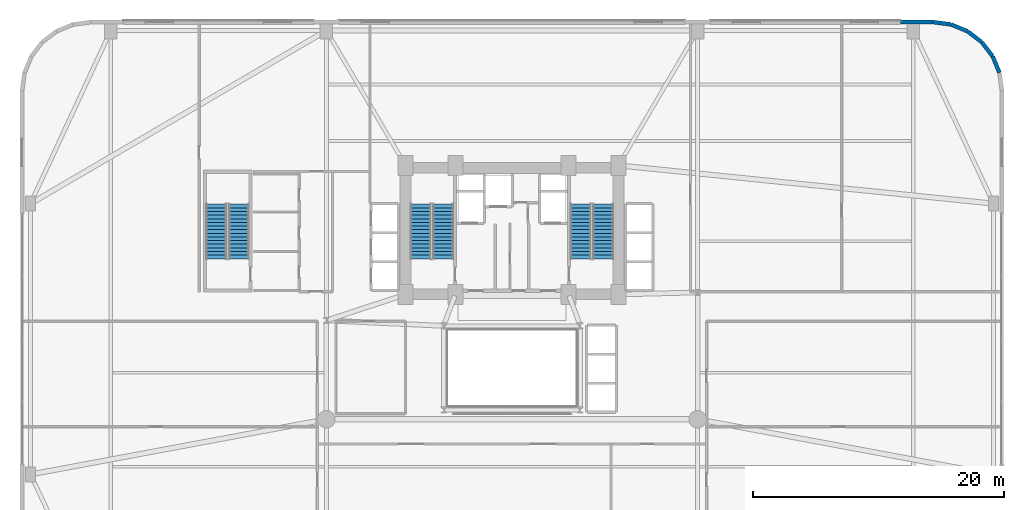
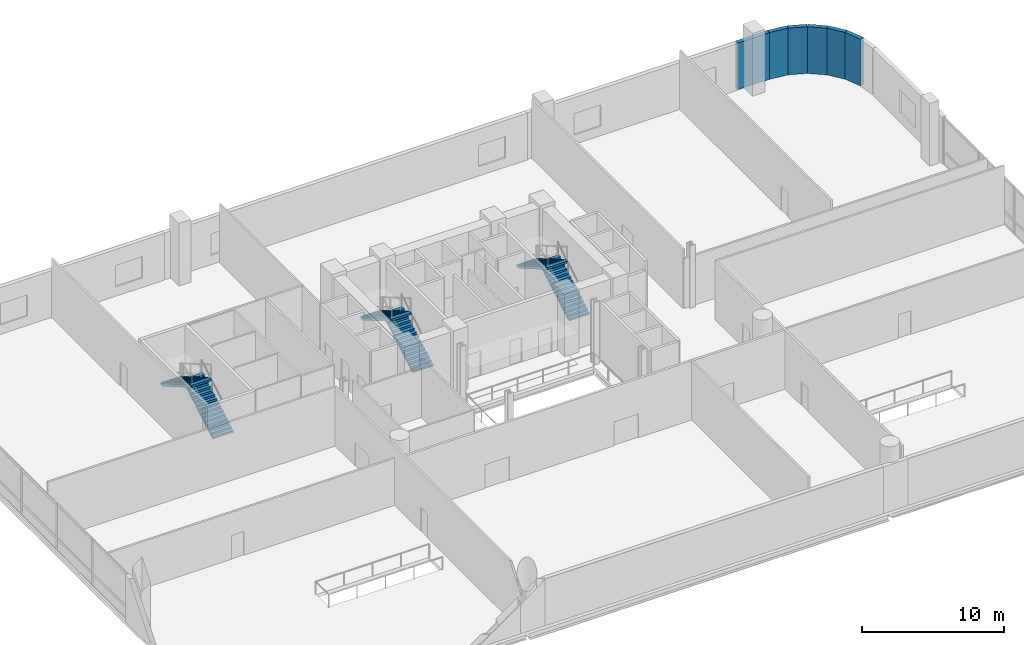
# One storey, part 25 of 31: 6 stair flights, 6 walls, 3 elements without a shape of their own.
"""IFC4 building model written with IfcOpenShell, lengths in metres."""

from ifc_helpers import new_model, si_unit, direction, frame, frame_2d, origin, place, context, subcontext, project, spatial, polyline, rectangle, outline, extrude, material, layer, layer_set, type_object, element, aggregate, save


model = new_model("IFC4")

# Units and contexts
model_context = context("Model", 3, precision=1e-05, world=origin(), true_north=direction((0.0, 1.0)))
body_context = subcontext(model_context, "Body", "Model", "MODEL_VIEW")
ifc_project = project(units=[si_unit("LENGTHUNIT", "METRE"), si_unit("AREAUNIT", "SQUARE_METRE"), si_unit("VOLUMEUNIT", "CUBIC_METRE"), si_unit("PLANEANGLEUNIT", "RADIAN"), si_unit("MASSUNIT", "GRAM", prefix="KILO")], contexts=[model_context])

# Site, building, storey
site_placement = place(None, origin())
site = spatial("IfcSite", under=ifc_project, at=site_placement, CompositionType="ELEMENT")
building_placement = place(site_placement, origin())
building = spatial("IfcBuilding", under=site, at=building_placement, Name="Varnelok Gate Tower", CompositionType="ELEMENT")
storey_placement = place(building_placement, frame((0.0, 0.0, 16.199951171875)))
storey = spatial("IfcBuildingStorey", under=building, at=storey_placement, Name="L03", CompositionType="ELEMENT", Elevation=16.199951171875)

# Walls
ifc_material_1 = material(Name="Concrete C45/55", Category="concrete")
ifc_layer = layer(ifc_material_1, 0.320068359375)
ifc_layer_set = layer_set([ifc_layer], Name="Concrete C45/55")
wall_type = type_object("IfcWallType", Name="EW-POD-320", PredefinedType="SOLIDWALL", material=ifc_layer_set)
for number, where, z_axis, x_axis, name in (
    (1, (78.082763671875, 46.441162109375, 0.0), (0.0, 0.0, 1.0), (-0.382714908977, 0.923866493844, 0.0), "L03 Perimeter Facade Closure Wall 20"),
    (2, (77.52978515625, 47.75927734375, 0.0), (0.0, 0.0, 1.0), (-0.60871962085, 0.79338541907, 0.0), "L03 Perimeter Facade Closure Wall 21"),
    (3, (76.654296875, 48.889404296875, 0.0), (0.0, 0.0, 1.0), (-0.793321035123, 0.608803527611, 0.0), "L03 Perimeter Facade Closure Wall 22"),
    (4, (75.516357421875, 49.75439453125, 0.0), (0.0, 0.0, 1.0), (-0.923866493844, 0.382714908977, 0.0), "L03 Perimeter Facade Closure Wall 23"),
):
    element("IfcWall", number, at=place(storey_placement, frame(where, z_axis=z_axis, x_axis=x_axis)), inside=storey, type_object=wall_type, Name=name, PredefinedType="SOLIDWALL", context=body_context, shape_type="SweptSolid", body=[
        extrude(rectangle(XDim=1.4052734375, YDim=0.320068359375, at=frame_2d((0.70263671875, 0.0))), origin(), (0.0, 0.0, 1.0), 4.030029296875),
    ])
wall_1_placement = place(storey_placement, frame((74.193359375, 50.295654296875, 0.0), z_axis=(0.0, 0.0, 1.0), x_axis=(-0.991460173646, 0.130409831203, 0.0)))
element("IfcWall", 5, at=wall_1_placement, inside=storey, type_object=wall_type, Name="L03 Perimeter Facade Closure Wall 24", PredefinedType="SOLIDWALL", context=body_context, shape_type="SweptSolid", body=[
    extrude(rectangle(XDim=1.413330078125, YDim=0.320068359375, at=frame_2d((0.70654296875, 0.0))), origin(), (0.0, 0.0, 1.0), 4.030029296875),
])
wall_2_placement = place(storey_placement, frame((72.76708984375, 50.47998046875, 0.0), z_axis=(0.0, 0.0, 1.0), x_axis=(-1.0, 0.0, 0.0)))
element("IfcWall", 6, at=wall_2_placement, inside=storey, type_object=wall_type, Name="L03 Perimeter Facade Closure Wall 25", PredefinedType="SOLIDWALL", context=body_context, shape_type="SweptSolid", body=[
    extrude(rectangle(XDim=2.59716796875, YDim=0.320068359375, at=frame_2d((1.298583984375, 0.0))), origin(), (0.0, 0.0, 1.0), 4.030029296875),
])

# Stair, stair flights
ifc_material_2 = material(Name="Concrete C50/60", Category="concrete")
stair_type = type_object("IfcStairType", Name="STR-CORE-1650", PredefinedType="HALF_TURN_STAIR", material=ifc_material_2)
stair_1_placement = place(storey_placement, origin())
stair_1 = element("IfcStair", 7, at=stair_1_placement, inside=storey, type_object=stair_type, Name="L03 Exit Stair ST-1", PredefinedType="HALF_TURN_STAIR")
stair_flight_type = type_object("IfcStairFlightType", Name="SFL-CORE-1650", PredefinedType="STRAIGHT", material=ifc_material_2)
stair_flight_1_placement = place(storey_placement, frame((33.72509765625, 31.60009765625, 0.0), z_axis=(0.0, 0.0, 1.0), x_axis=(0.0, 1.0, 0.0)))
stair_flight_1 = element("IfcStairFlight", 8, at=stair_flight_1_placement, type_object=stair_flight_type, Name="ST-1 flight 1", NumberOfRisers=16, NumberOfTreads=15, PredefinedType="STRAIGHT", RiserHeight=0.16875, TreadLength=0.29, context=body_context, shape_type="SweptSolid", body=[
    extrude(outline(polyline([(0.0, 0.0), (0.0, 0.168701171875), (0.2900390625, 0.168701171875), (0.2900390625, 0.33740234375), (0.580078125, 0.33740234375), (0.580078125, 0.50634765625), (0.8701171875, 0.50634765625), (0.8701171875, 0.675048828125), (1.159912109375, 0.675048828125), (1.159912109375, 0.84375), (1.449951171875, 0.84375), (1.449951171875, 1.012451171875), (1.739990234375, 1.012451171875), (1.739990234375, 1.18115234375), (2.030029296875, 1.18115234375), (2.030029296875, 1.35009765625), (2.320068359375, 1.35009765625), (2.320068359375, 1.518798828125), (2.610107421875, 1.518798828125), (2.610107421875, 1.6875), (2.89990234375, 1.6875), (2.89990234375, 1.856201171875), (3.18994140625, 1.856201171875), (3.18994140625, 2.02490234375), (3.47998046875, 2.02490234375), (3.47998046875, 2.19384765625), (3.77001953125, 2.19384765625), (3.77001953125, 2.362548828125), (4.06005859375, 2.362548828125), (4.06005859375, 2.53125), (4.35009765625, 2.53125), (4.35009765625, 2.699951171875), (4.35009765625, 2.35791015625), (0.298095703125, 0.0), (0.0, 0.0)])), frame((0.0, 0.824951171875, 0.0), z_axis=(0.0, -1.0, 0.0), x_axis=(1.0, 0.0, 0.0)), (0.0, 0.0, 1.0), 1.64990234375),
])
stair_flight_2_placement = place(storey_placement, frame((31.925048828125, 35.949951171875, 2.699951171875), z_axis=(0.0, 0.0, 1.0), x_axis=(0.0, -1.0, 0.0)))
stair_flight_2 = element("IfcStairFlight", 9, at=stair_flight_2_placement, type_object=stair_flight_type, Name="ST-1 flight 2", NumberOfRisers=16, NumberOfTreads=15, PredefinedType="STRAIGHT", RiserHeight=0.16875, TreadLength=0.29, context=body_context, shape_type="SweptSolid", body=[
    extrude(outline(polyline([(0.0, 0.0), (0.0, 0.168701171875), (0.2900390625, 0.168701171875), (0.2900390625, 0.33740234375), (0.580078125, 0.33740234375), (0.580078125, 0.50634765625), (0.8701171875, 0.50634765625), (0.8701171875, 0.675048828125), (1.159912109375, 0.675048828125), (1.159912109375, 0.84375), (1.449951171875, 0.84375), (1.449951171875, 1.012451171875), (1.739990234375, 1.012451171875), (1.739990234375, 1.18115234375), (2.030029296875, 1.18115234375), (2.030029296875, 1.35009765625), (2.320068359375, 1.35009765625), (2.320068359375, 1.518798828125), (2.610107421875, 1.518798828125), (2.610107421875, 1.6875), (2.89990234375, 1.6875), (2.89990234375, 1.856201171875), (3.18994140625, 1.856201171875), (3.18994140625, 2.02490234375), (3.47998046875, 2.02490234375), (3.47998046875, 2.19384765625), (3.77001953125, 2.19384765625), (3.77001953125, 2.362548828125), (4.06005859375, 2.362548828125), (4.06005859375, 2.53125), (4.35009765625, 2.53125), (4.35009765625, 2.699951171875), (4.35009765625, 2.35791015625), (0.298095703125, 0.0), (0.0, 0.0)])), frame((0.0, 0.824951171875, 0.0), z_axis=(0.0, -1.0, 0.0), x_axis=(1.0, 0.0, 0.0)), (0.0, 0.0, 1.0), 1.64990234375),
])
aggregate(stair_1, [stair_flight_1, stair_flight_2])

stair_2_placement = place(storey_placement, origin())
stair_2 = element("IfcStair", 10, at=stair_2_placement, inside=storey, type_object=stair_type, Name="L03 Exit Stair ST-2", PredefinedType="HALF_TURN_STAIR")
stair_flight_3_placement = place(storey_placement, frame((46.47509765625, 31.60009765625, 0.0), z_axis=(0.0, 0.0, 1.0), x_axis=(0.0, 1.0, 0.0)))
stair_flight_3 = element("IfcStairFlight", 11, at=stair_flight_3_placement, type_object=stair_flight_type, Name="ST-2 flight 1", NumberOfRisers=16, NumberOfTreads=15, PredefinedType="STRAIGHT", RiserHeight=0.16875, TreadLength=0.29, context=body_context, shape_type="SweptSolid", body=[
    extrude(outline(polyline([(0.0, 0.0), (0.0, 0.168701171875), (0.2900390625, 0.168701171875), (0.2900390625, 0.33740234375), (0.580078125, 0.33740234375), (0.580078125, 0.50634765625), (0.8701171875, 0.50634765625), (0.8701171875, 0.675048828125), (1.159912109375, 0.675048828125), (1.159912109375, 0.84375), (1.449951171875, 0.84375), (1.449951171875, 1.012451171875), (1.739990234375, 1.012451171875), (1.739990234375, 1.18115234375), (2.030029296875, 1.18115234375), (2.030029296875, 1.35009765625), (2.320068359375, 1.35009765625), (2.320068359375, 1.518798828125), (2.610107421875, 1.518798828125), (2.610107421875, 1.6875), (2.89990234375, 1.6875), (2.89990234375, 1.856201171875), (3.18994140625, 1.856201171875), (3.18994140625, 2.02490234375), (3.47998046875, 2.02490234375), (3.47998046875, 2.19384765625), (3.77001953125, 2.19384765625), (3.77001953125, 2.362548828125), (4.06005859375, 2.362548828125), (4.06005859375, 2.53125), (4.35009765625, 2.53125), (4.35009765625, 2.699951171875), (4.35009765625, 2.35791015625), (0.298095703125, 0.0), (0.0, 0.0)])), frame((0.0, 0.824951171875, 0.0), z_axis=(0.0, -1.0, 0.0), x_axis=(1.0, 0.0, 0.0)), (0.0, 0.0, 1.0), 1.64990234375),
])
stair_flight_4_placement = place(storey_placement, frame((44.675048828125, 35.949951171875, 2.699951171875), z_axis=(0.0, 0.0, 1.0), x_axis=(0.0, -1.0, 0.0)))
stair_flight_4 = element("IfcStairFlight", 12, at=stair_flight_4_placement, type_object=stair_flight_type, Name="ST-2 flight 2", NumberOfRisers=16, NumberOfTreads=15, PredefinedType="STRAIGHT", RiserHeight=0.16875, TreadLength=0.29, context=body_context, shape_type="SweptSolid", body=[
    extrude(outline(polyline([(0.0, 0.0), (0.0, 0.168701171875), (0.2900390625, 0.168701171875), (0.2900390625, 0.33740234375), (0.580078125, 0.33740234375), (0.580078125, 0.50634765625), (0.8701171875, 0.50634765625), (0.8701171875, 0.675048828125), (1.159912109375, 0.675048828125), (1.159912109375, 0.84375), (1.449951171875, 0.84375), (1.449951171875, 1.012451171875), (1.739990234375, 1.012451171875), (1.739990234375, 1.18115234375), (2.030029296875, 1.18115234375), (2.030029296875, 1.35009765625), (2.320068359375, 1.35009765625), (2.320068359375, 1.518798828125), (2.610107421875, 1.518798828125), (2.610107421875, 1.6875), (2.89990234375, 1.6875), (2.89990234375, 1.856201171875), (3.18994140625, 1.856201171875), (3.18994140625, 2.02490234375), (3.47998046875, 2.02490234375), (3.47998046875, 2.19384765625), (3.77001953125, 2.19384765625), (3.77001953125, 2.362548828125), (4.06005859375, 2.362548828125), (4.06005859375, 2.53125), (4.35009765625, 2.53125), (4.35009765625, 2.699951171875), (4.35009765625, 2.35791015625), (0.298095703125, 0.0), (0.0, 0.0)])), frame((0.0, 0.824951171875, 0.0), z_axis=(0.0, -1.0, 0.0), x_axis=(1.0, 0.0, 0.0)), (0.0, 0.0, 1.0), 1.64990234375),
])
aggregate(stair_2, [stair_flight_3, stair_flight_4])

stair_3_placement = place(storey_placement, origin())
stair_3 = element("IfcStair", 13, at=stair_3_placement, inside=storey, type_object=stair_type, Name="L03 Podium Exit Stair ST-3", PredefinedType="HALF_TURN_STAIR")
stair_flight_5_placement = place(storey_placement, frame((17.425048828125, 31.60009765625, 0.0), z_axis=(0.0, 0.0, 1.0), x_axis=(0.0, 1.0, 0.0)))
stair_flight_5 = element("IfcStairFlight", 14, at=stair_flight_5_placement, type_object=stair_flight_type, Name="ST-3 flight 1", NumberOfRisers=16, NumberOfTreads=15, PredefinedType="STRAIGHT", RiserHeight=0.16875, TreadLength=0.29, context=body_context, shape_type="SweptSolid", body=[
    extrude(outline(polyline([(0.0, 0.0), (0.0, 0.168701171875), (0.2900390625, 0.168701171875), (0.2900390625, 0.33740234375), (0.580078125, 0.33740234375), (0.580078125, 0.50634765625), (0.8701171875, 0.50634765625), (0.8701171875, 0.675048828125), (1.159912109375, 0.675048828125), (1.159912109375, 0.84375), (1.449951171875, 0.84375), (1.449951171875, 1.012451171875), (1.739990234375, 1.012451171875), (1.739990234375, 1.18115234375), (2.030029296875, 1.18115234375), (2.030029296875, 1.35009765625), (2.320068359375, 1.35009765625), (2.320068359375, 1.518798828125), (2.610107421875, 1.518798828125), (2.610107421875, 1.6875), (2.89990234375, 1.6875), (2.89990234375, 1.856201171875), (3.18994140625, 1.856201171875), (3.18994140625, 2.02490234375), (3.47998046875, 2.02490234375), (3.47998046875, 2.19384765625), (3.77001953125, 2.19384765625), (3.77001953125, 2.362548828125), (4.06005859375, 2.362548828125), (4.06005859375, 2.53125), (4.35009765625, 2.53125), (4.35009765625, 2.699951171875), (4.35009765625, 2.35791015625), (0.298095703125, 0.0), (0.0, 0.0)])), frame((0.0, 0.824951171875, 0.0), z_axis=(0.0, -1.0, 0.0), x_axis=(1.0, 0.0, 0.0)), (0.0, 0.0, 1.0), 1.64990234375),
])
stair_flight_6_placement = place(storey_placement, frame((15.625, 35.949951171875, 2.699951171875), z_axis=(0.0, 0.0, 1.0), x_axis=(0.0, -1.0, 0.0)))
stair_flight_6 = element("IfcStairFlight", 15, at=stair_flight_6_placement, type_object=stair_flight_type, Name="ST-3 flight 2", NumberOfRisers=16, NumberOfTreads=15, PredefinedType="STRAIGHT", RiserHeight=0.16875, TreadLength=0.29, context=body_context, shape_type="SweptSolid", body=[
    extrude(outline(polyline([(0.0, 0.0), (0.0, 0.168701171875), (0.2900390625, 0.168701171875), (0.2900390625, 0.33740234375), (0.580078125, 0.33740234375), (0.580078125, 0.50634765625), (0.8701171875, 0.50634765625), (0.8701171875, 0.675048828125), (1.159912109375, 0.675048828125), (1.159912109375, 0.84375), (1.449951171875, 0.84375), (1.449951171875, 1.012451171875), (1.739990234375, 1.012451171875), (1.739990234375, 1.18115234375), (2.030029296875, 1.18115234375), (2.030029296875, 1.35009765625), (2.320068359375, 1.35009765625), (2.320068359375, 1.518798828125), (2.610107421875, 1.518798828125), (2.610107421875, 1.6875), (2.89990234375, 1.6875), (2.89990234375, 1.856201171875), (3.18994140625, 1.856201171875), (3.18994140625, 2.02490234375), (3.47998046875, 2.02490234375), (3.47998046875, 2.19384765625), (3.77001953125, 2.19384765625), (3.77001953125, 2.362548828125), (4.06005859375, 2.362548828125), (4.06005859375, 2.53125), (4.35009765625, 2.53125), (4.35009765625, 2.699951171875), (4.35009765625, 2.35791015625), (0.298095703125, 0.0), (0.0, 0.0)])), frame((0.0, 0.824951171875, 0.0), z_axis=(0.0, -1.0, 0.0), x_axis=(1.0, 0.0, 0.0)), (0.0, 0.0, 1.0), 1.64990234375),
])
aggregate(stair_3, [stair_flight_5, stair_flight_6])

save(model, "model.ifc")
